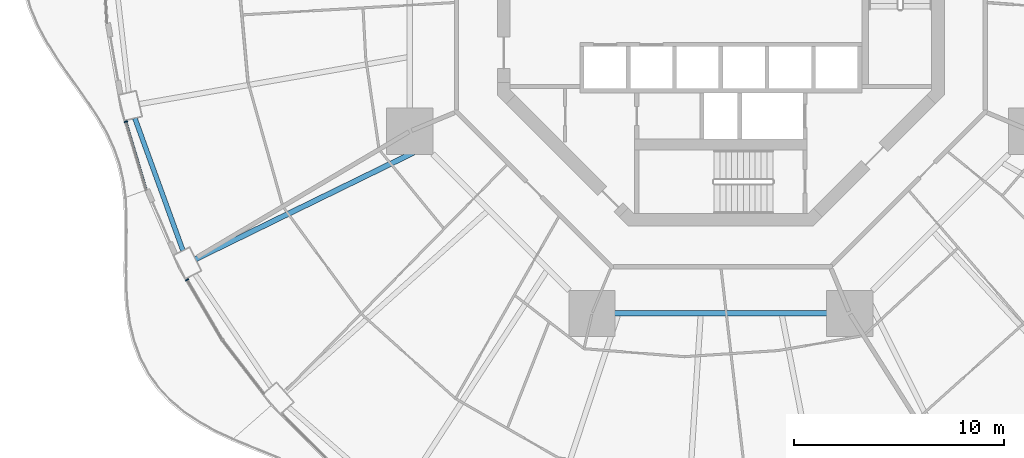
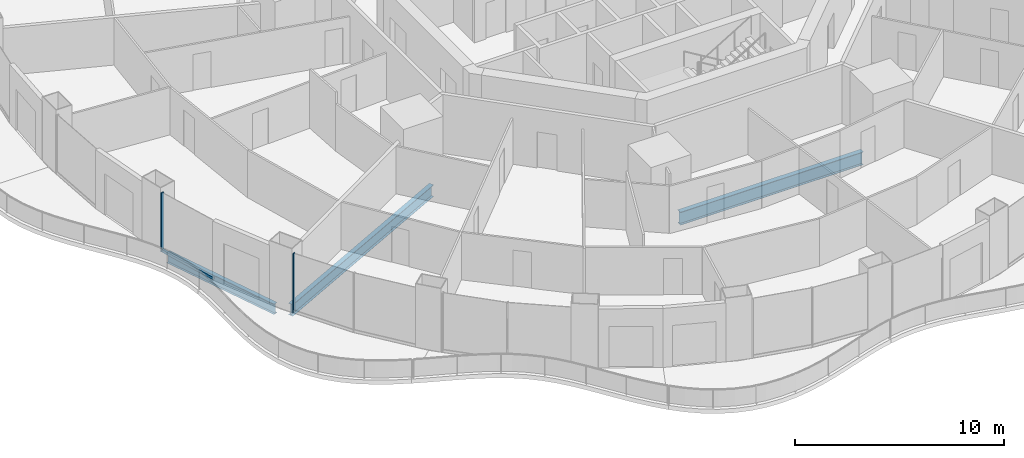
# One storey, part 3 of 22: 3 beams, 3 members, 2 elements without a shape of their own.
"""IFC4 building model written with IfcOpenShell, lengths in metres."""

from ifc_helpers import new_model, si_unit, direction, frame, origin, origin_2d, place, context, subcontext, project, spatial, rectangle, i_section, extrude, material, layer, layer_set, material_profile, profile_set, type_object, element, aggregate, save


model = new_model("IFC4")

# Units and contexts
model_context = context("Model", 3, precision=1e-05, world=origin(), true_north=direction((0.0, 1.0)))
body_context = subcontext(model_context, "Body", "Model", "MODEL_VIEW")
ifc_project = project(units=[si_unit("LENGTHUNIT", "METRE"), si_unit("AREAUNIT", "SQUARE_METRE"), si_unit("VOLUMEUNIT", "CUBIC_METRE"), si_unit("PLANEANGLEUNIT", "RADIAN"), si_unit("MASSUNIT", "GRAM", prefix="KILO")], contexts=[model_context])

# Site, building, storey
site_placement = place(None, origin())
site = spatial("IfcSite", under=ifc_project, at=site_placement, CompositionType="ELEMENT")
building_placement = place(site_placement, origin())
building = spatial("IfcBuilding", under=site, at=building_placement, Name="Nagisa Residences", CompositionType="ELEMENT")
storey_placement = place(building_placement, frame((0.0, 0.0, 91.800048828125)))
storey = spatial("IfcBuildingStorey", under=building, at=storey_placement, Name="L22", CompositionType="ELEMENT", Elevation=91.800048828125)

# Curtain wall, member
ifc_material_1 = material(Name="Concrete-coloured aluminium curtain wall system", Category="concrete")
ifc_layer = layer(ifc_material_1, 0.159912109375)
ifc_layer_set = layer_set([ifc_layer], Name="CW1 CURTAIN WALL")
curtain_wall_type = type_object("IfcCurtainWallType", Name="CW1 CURTAIN WALL", PredefinedType="NOTDEFINED", material=ifc_layer_set)
curtain_wall_1_placement = place(storey_placement, origin())
curtain_wall_1 = element("IfcCurtainWall", 1, at=curtain_wall_1_placement, inside=storey, type_object=curtain_wall_type, Name="cw:CW1:L22:26", PredefinedType="NOTDEFINED")
ifc_material_2 = material(Name="Concrete-coloured aluminium", Category="concrete")
ifc_material_profile_1 = material_profile(ifc_material_2, rectangle(XDim=0.159912109375, YDim=0.06005859375, at=origin_2d()), Name="CW1 MULLION 160x60")
ifc_profile_set_1 = profile_set([ifc_material_profile_1], Name="Concrete-coloured aluminium")
member_type_1 = type_object("IfcMemberType", Name="CW1 MULLION 160x60", PredefinedType="MULLION", material=ifc_profile_set_1)
member_1_placement = place(storey_placement, frame((-28.2802734375, -5.667724609375, 0.0), z_axis=(0.0, 0.0, 1.0), x_axis=(0.958271310082, 0.285860274038, 0.0)))
member_1 = element("IfcMember", 2, at=member_1_placement, type_object=member_type_1, Name="CW1 mullion", PredefinedType="MULLION", context=body_context, shape_type="SweptSolid", body=[
    extrude(rectangle(XDim=0.159912109375, YDim=0.06005859375, at=origin_2d()), origin(), (0.0, 0.0, 1.0), 3.43994140625),
])

curtain_wall_2_placement = place(storey_placement, origin())
curtain_wall_2 = element("IfcCurtainWall", 3, at=curtain_wall_2_placement, inside=storey, type_object=curtain_wall_type, Name="cw:CW1:L22:28", PredefinedType="NOTDEFINED")
member_2_placement = place(storey_placement, frame((-25.371337890625, -13.185791015625, 0.0), z_axis=(0.0, 0.0, 1.0), x_axis=(0.862328898214, 0.506348567002, 0.0)))
member_2 = element("IfcMember", 4, at=member_2_placement, type_object=member_type_1, Name="CW1 mullion", PredefinedType="MULLION", context=body_context, shape_type="SweptSolid", body=[
    extrude(rectangle(XDim=0.159912109375, YDim=0.06005859375, at=origin_2d()), origin(), (0.0, 0.0, 1.0), 3.43994140625),
])
aggregate(curtain_wall_2, [member_2])

# Member
ifc_material_3 = material(Name="Concrete-coloured aluminium", Category="concrete")
ifc_material_profile_2 = material_profile(ifc_material_3, rectangle(XDim=0.1201171875, YDim=0.14990234375, at=origin_2d()), Name="CW1 TRANSOM 120x150")
ifc_profile_set_2 = profile_set([ifc_material_profile_2], Name="Concrete-coloured aluminium")
member_type_2 = type_object("IfcMemberType", Name="CW1 TRANSOM 120x150", PredefinedType="USERDEFINED", material=ifc_profile_set_2)
member_3_placement = place(storey_placement, frame((-28.288818359375, -5.638916015625, 0.074951171875), z_axis=(0.285816610469, -0.958284334203, 0.0), x_axis=(0.958284334203, 0.285816610469, 0.0)))
member_3 = element("IfcMember", 5, at=member_3_placement, type_object=member_type_2, Name="CW1 transom", ObjectType="TRANSOM", PredefinedType="USERDEFINED", context=body_context, shape_type="SweptSolid", body=[
    extrude(rectangle(XDim=0.1201171875, YDim=0.14990234375, at=origin_2d()), origin(), (0.0, 0.0, 1.0), 3.423583984375),
])

aggregate(curtain_wall_1, [member_1, member_3])

# Beams
ifc_material_4 = material(Name="Steel ASTM A572 Gr 50", Category="steel")
ifc_material_profile_3 = material_profile(ifc_material_4, i_section(OverallWidth=0.264892578125, OverallDepth=0.7529296875, WebThickness=0.01318359375, FlangeThickness=0.01708984375, at=origin_2d()), Name="W760x147")
ifc_profile_set_3 = profile_set([ifc_material_profile_3], Name="Steel ASTM A572 Gr 50")
beam_type_1 = type_object("IfcBeamType", Name="Inner ring beam W760x147", PredefinedType="BEAM", material=ifc_profile_set_3)
beam_1_placement = place(storey_placement, frame((-5.04296875, -14.781982421875, -0.636474609375), z_axis=(1.0, 0.0, 0.0), x_axis=(0.0, 1.0, 0.0)))
element("IfcBeam", 6, at=beam_1_placement, inside=storey, type_object=beam_type_1, Name="beam:L22:ib6", PredefinedType="BEAM", context=body_context, shape_type="SweptSolid", body=[
    extrude(i_section(OverallWidth=0.264892578125, OverallDepth=0.7529296875, WebThickness=0.01318359375, FlangeThickness=0.01708984375, at=origin_2d()), origin(), (0.0, 0.0, 1.0), 10.0859375),
])
ifc_material_5 = material(Name="Steel ASTM A572 Gr 50", Category="steel")
ifc_material_profile_4 = material_profile(ifc_material_5, i_section(OverallWidth=0.22802734375, OverallDepth=0.60302734375, WebThickness=0.010498046875, FlangeThickness=0.014892578125, at=origin_2d()), Name="W610x101")
ifc_profile_set_4 = profile_set([ifc_material_profile_4], Name="Steel ASTM A572 Gr 50")
beam_type_2 = type_object("IfcBeamType", Name="Perimeter ring beam W610x101", PredefinedType="BEAM", material=ifc_profile_set_4)
beam_2_placement = place(storey_placement, frame((-27.851806640625, -5.505859375, -0.5615234375), z_axis=(0.341365002286, -0.939930814057, 0.0), x_axis=(0.939930814057, 0.341365002286, 0.0)))
element("IfcBeam", 7, at=beam_2_placement, inside=storey, type_object=beam_type_2, Name="beam:L22:pb14", PredefinedType="BEAM", context=body_context, shape_type="SweptSolid", body=[
    extrude(i_section(OverallWidth=0.22802734375, OverallDepth=0.60302734375, WebThickness=0.010498046875, FlangeThickness=0.014892578125, at=origin_2d()), origin(), (0.0, 0.0, 1.0), 6.689208984375),
])
ifc_material_6 = material(Name="Steel ASTM A572 Gr 50", Category="steel")
ifc_material_profile_5 = material_profile(ifc_material_6, i_section(OverallWidth=0.2529296875, OverallDepth=0.677978515625, WebThickness=0.01171875, FlangeThickness=0.016357421875, at=origin_2d()), Name="W690x125")
ifc_profile_set_5 = profile_set([ifc_material_profile_5], Name="Steel ASTM A572 Gr 50")
beam_type_3 = type_object("IfcBeamType", Name="Radial beam W690x125", PredefinedType="BEAM", material=ifc_profile_set_5)
beam_3_placement = place(storey_placement, frame((-24.965087890625, -12.200927734375, -0.59912109375), z_axis=(0.898446773802, 0.439082446296, 0.0), x_axis=(-0.439082446296, 0.898446773802, 0.0)))
element("IfcBeam", 8, at=beam_3_placement, inside=storey, type_object=beam_type_3, Name="beam:L22:rb15", PredefinedType="BEAM", context=body_context, shape_type="SweptSolid", body=[
    extrude(i_section(OverallWidth=0.2529296875, OverallDepth=0.677978515625, WebThickness=0.01171875, FlangeThickness=0.016357421875, at=origin_2d()), origin(), (0.0, 0.0, 1.0), 12.037353515625),
])

save(model, "model.ifc")
